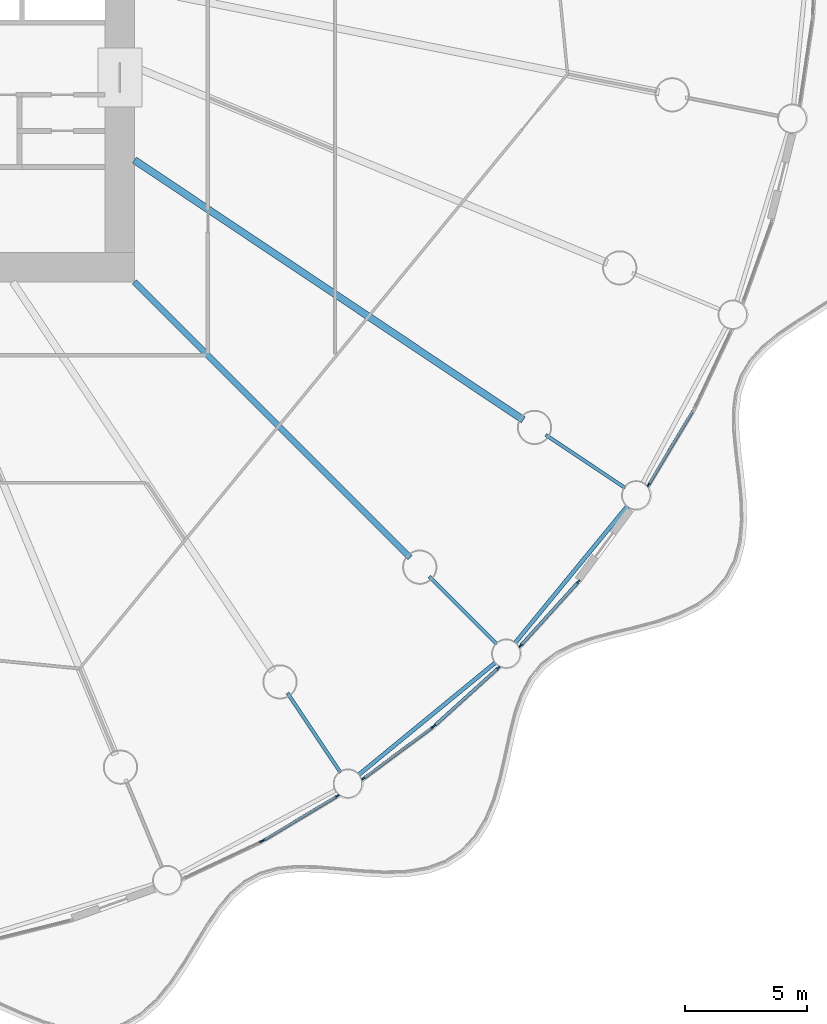
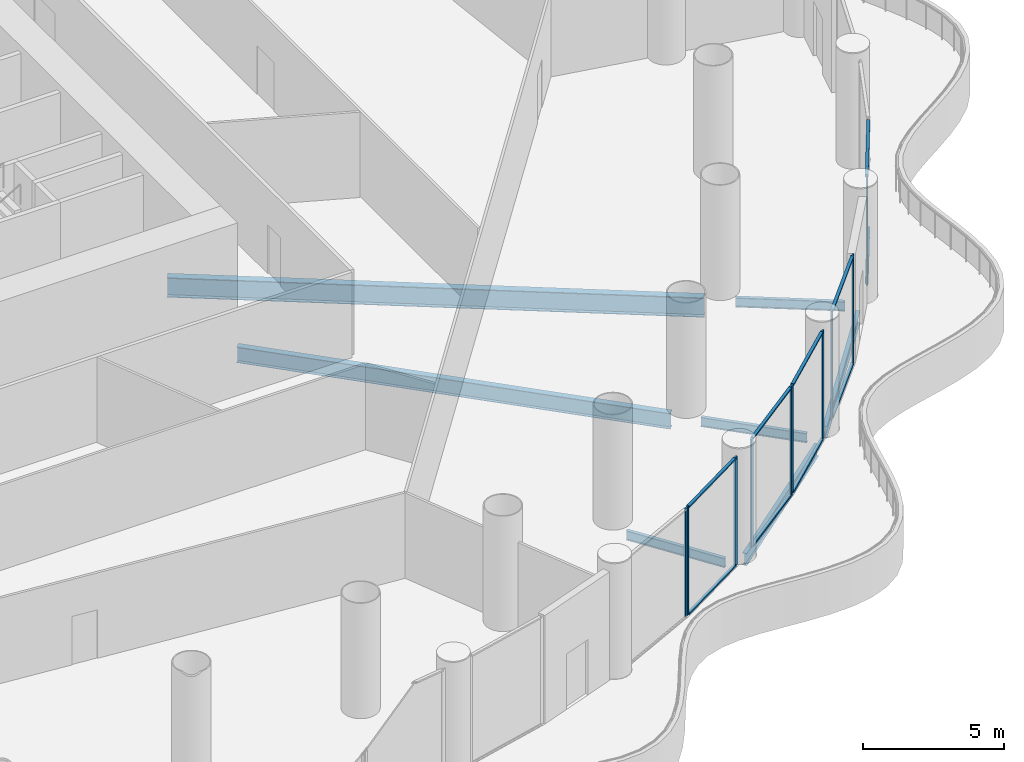
# One storey, part 10 of 38: 20 members, 7 beams, 6 elements without a shape of their own.
"""IFC4 building model written with IfcOpenShell, lengths in metres."""

from ifc_helpers import new_model, si_unit, direction, frame, origin, origin_2d, place, context, subcontext, project, spatial, rectangle, i_section, extrude, material, material_profile, profile_set, type_object, element, aggregate, save


model = new_model("IFC4")

# Units and contexts
model_context = context("Model", 3, precision=1e-05, world=origin(), true_north=direction((0.0, 1.0)))
body_context = subcontext(model_context, "Body", "Model", "MODEL_VIEW")
ifc_project = project(units=[si_unit("LENGTHUNIT", "METRE"), si_unit("AREAUNIT", "SQUARE_METRE"), si_unit("VOLUMEUNIT", "CUBIC_METRE"), si_unit("PLANEANGLEUNIT", "RADIAN"), si_unit("MASSUNIT", "GRAM", prefix="KILO")], contexts=[model_context])

# Site, building, storey
site_placement = place(None, origin())
site = spatial("IfcSite", under=ifc_project, at=site_placement, CompositionType="ELEMENT")
building_placement = place(site_placement, origin())
building = spatial("IfcBuilding", under=site, at=building_placement, Name="Corvane Civic Tower", CompositionType="ELEMENT")
storey_placement = place(building_placement, frame((0.0, 0.0, 32.0)))
storey = spatial("IfcBuildingStorey", under=building, at=storey_placement, Name="L06", CompositionType="ELEMENT", Elevation=32.0)

# Beams
ifc_material_1 = material(Name="Steel ASTM A992 Gr 50", Category="steel")
ifc_material_profile_1 = material_profile(ifc_material_1, i_section(OverallWidth=0.165771484375, OverallDepth=0.5283203125, WebThickness=0.009765625, FlangeThickness=0.013671875, at=origin_2d()), Name="W21X50")
ifc_profile_set_1 = profile_set([ifc_material_profile_1], Name="Steel ASTM A992 Gr 50")
beam_type_1 = type_object("IfcBeamType", Name="EDGE BEAM W21X50", PredefinedType="BEAM", material=ifc_profile_set_1)
for number, where, z_axis, x_axis, name in (
    (1, (35.15478515625, -24.14794921875, -0.564208984375), (-0.634396365205, -0.773007924807, 0.0), (0.773007924807, -0.634396365205, 0.0), "BM-L06-E12"),
    (2, (29.768310546875, -30.542236328125, -0.564208984375), (-0.773007924807, -0.634396365205, 0.0), (0.634396365205, -0.773007924807, 0.0), "BM-L06-E13"),
):
    element("IfcBeam", number, at=place(storey_placement, frame(where, z_axis=z_axis, x_axis=x_axis)), inside=storey, type_object=beam_type_1, Name=name, PredefinedType="BEAM", context=body_context, shape_type="SweptSolid", body=[
        extrude(i_section(OverallWidth=0.165771484375, OverallDepth=0.5283203125, WebThickness=0.009765625, FlangeThickness=0.013671875, at=origin_2d()), origin(), (0.0, 0.0, 1.0), 7.270751953125),
    ])
ifc_material_2 = material(Name="Steel ASTM A992 Gr 50", Category="steel")
ifc_material_profile_2 = material_profile(ifc_material_2, i_section(OverallWidth=0.140380859375, OverallDepth=0.40380859375, WebThickness=0.007080078125, FlangeThickness=0.01123046875, at=origin_2d()), Name="W16X31")
ifc_profile_set_2 = profile_set([ifc_material_profile_2], Name="Steel ASTM A992 Gr 50")
beam_type_2 = type_object("IfcBeamType", Name="FLOOR GIRDER W16X31", PredefinedType="BEAM", material=ifc_profile_set_2)
for number, where, z_axis, x_axis, name in (
    (3, (31.8037109375, -21.25048828125, -0.501953125), (0.831462344301, -0.555581110199, 0.0), (0.555581110199, 0.831462344301, 0.0), "BM-L06-G12b"),
    (4, (27.046875, -27.046875, -0.501953125), (0.707106781187, -0.707106781187, 0.0), (0.707106781187, 0.707106781187, 0.0), "BM-L06-G13b"),
    (5, (21.25048828125, -31.8037109375, -0.501953125), (0.555581110199, -0.831462344301, 0.0), (0.831462344301, 0.555581110199, 0.0), "BM-L06-G14b"),
):
    element("IfcBeam", number, at=place(storey_placement, frame(where, z_axis=z_axis, x_axis=x_axis)), inside=storey, type_object=beam_type_2, Name=name, PredefinedType="BEAM", context=body_context, shape_type="SweptSolid", body=[
        extrude(i_section(OverallWidth=0.140380859375, OverallDepth=0.40380859375, WebThickness=0.007080078125, FlangeThickness=0.01123046875, at=origin_2d()), origin(), (0.0, 0.0, 1.0), 3.89990234375),
    ])
ifc_material_3 = material(Name="Steel ASTM A992 Gr 50", Category="steel")
ifc_material_profile_3 = material_profile(ifc_material_3, i_section(OverallWidth=0.25390625, OverallDepth=0.67822265625, WebThickness=0.01171875, FlangeThickness=0.016357421875, at=origin_2d()), Name="W27X84")
ifc_profile_set_3 = profile_set([ifc_material_profile_3], Name="Steel ASTM A992 Gr 50")
beam_type_3 = type_object("IfcBeamType", Name="FLOOR GIRDER W27X84", PredefinedType="BEAM", material=ifc_profile_set_3)
beam_1_placement = place(storey_placement, frame((15.0, -15.0, -0.63916015625), z_axis=(0.707106781187, -0.707106781187, 0.0), x_axis=(0.707106781187, 0.707106781187, 0.0)))
element("IfcBeam", 6, at=beam_1_placement, inside=storey, type_object=beam_type_3, Name="BM-L06-G13", PredefinedType="BEAM", context=body_context, shape_type="SweptSolid", body=[
    extrude(i_section(OverallWidth=0.25390625, OverallDepth=0.67822265625, WebThickness=0.01171875, FlangeThickness=0.016357421875, at=origin_2d()), origin(), (0.0, 0.0, 1.0), 15.936767578125),
])
ifc_material_4 = material(Name="Steel ASTM A992 Gr 50", Category="steel")
ifc_material_profile_4 = material_profile(ifc_material_4, i_section(OverallWidth=0.2919921875, OverallDepth=0.845703125, WebThickness=0.015380859375, FlangeThickness=0.0244140625, at=origin_2d()), Name="W33X141")
ifc_profile_set_4 = profile_set([ifc_material_profile_4], Name="Steel ASTM A992 Gr 50")
beam_type_4 = type_object("IfcBeamType", Name="FLOOR GIRDER W33X141", PredefinedType="BEAM", material=ifc_profile_set_4)
beam_2_placement = place(storey_placement, frame((15.0, -10.022705078125, -0.722900390625), z_axis=(0.831471985418, -0.555566681385, 0.0), x_axis=(0.555566681385, 0.831471985418, 0.0)))
element("IfcBeam", 7, at=beam_2_placement, inside=storey, type_object=beam_type_4, Name="BM-L06-G12", PredefinedType="BEAM", context=body_context, shape_type="SweptSolid", body=[
    extrude(i_section(OverallWidth=0.2919921875, OverallDepth=0.845703125, WebThickness=0.015380859375, FlangeThickness=0.0244140625, at=origin_2d()), origin(), (0.0, 0.0, 1.0), 19.109619140625),
])

# Curtain wall, member
ifc_material_5 = material(Name="Aluminium and glass", Category="aluminium")
curtain_wall_type = type_object("IfcCurtainWallType", Name="PODIUM-CW-P-RUN", PredefinedType="NOTDEFINED", material=ifc_material_5)
curtain_wall_1_placement = place(storey_placement, origin())
curtain_wall_1 = element("IfcCurtainWall", 8, at=curtain_wall_1_placement, inside=storey, type_object=curtain_wall_type, Name="PODI run L06-drum-11B", PredefinedType="NOTDEFINED")
ifc_material_6 = material(Name="Anodised aluminium bronze", Category="aluminium")
ifc_material_profile_5 = material_profile(ifc_material_6, rectangle(XDim=0.06005859375, YDim=0.159912109375, at=origin_2d()), Name="AL 60x160")
ifc_profile_set_5 = profile_set([ifc_material_profile_5], Name="Anodised aluminium bronze")
member_type_1 = type_object("IfcMemberType", Name="PODIUM-CWP-MULLION-60x160", PredefinedType="MULLION", material=ifc_profile_set_5)
member_1_placement = place(storey_placement, frame((36.010009765625, -23.28564453125, 0.0), z_axis=(0.0, 0.0, 1.0), x_axis=(0.857719609779, -0.514117759857, 0.0)))
member_1 = element("IfcMember", 9, at=member_1_placement, type_object=member_type_1, Name="CW-P mullion 2", PredefinedType="MULLION", context=body_context, shape_type="SweptSolid", body=[
    extrude(rectangle(XDim=0.06005859375, YDim=0.159912109375, at=origin_2d()), origin(), (0.0, 0.0, 1.0), 4.699951171875),
])

# Curtain wall, members
curtain_wall_2_placement = place(storey_placement, origin())
curtain_wall_2 = element("IfcCurtainWall", 10, at=curtain_wall_2_placement, inside=storey, type_object=curtain_wall_type, Name="PODI run L06-drum-12B", PredefinedType="NOTDEFINED")
member_2_placement = place(storey_placement, frame((33.13916015625, -27.25537109375, 0.0), z_axis=(0.0, 0.0, 1.0), x_axis=(0.740935261089, -0.671576457952, 0.0)))
member_2 = element("IfcMember", 11, at=member_2_placement, type_object=member_type_1, Name="CW-P mullion 1", PredefinedType="MULLION", context=body_context, shape_type="SweptSolid", body=[
    extrude(rectangle(XDim=0.06005859375, YDim=0.159912109375, at=origin_2d()), origin(), (0.0, 0.0, 1.0), 4.699951171875),
])
member_3_placement = place(storey_placement, frame((30.775390625, -29.863525390625, 0.0), z_axis=(0.0, 0.0, 1.0), x_axis=(0.740935261089, -0.671576457952, 0.0)))
member_3 = element("IfcMember", 12, at=member_3_placement, type_object=member_type_1, Name="CW-P mullion 2", PredefinedType="MULLION", context=body_context, shape_type="SweptSolid", body=[
    extrude(rectangle(XDim=0.06005859375, YDim=0.159912109375, at=origin_2d()), origin(), (0.0, 0.0, 1.0), 4.699951171875),
])

curtain_wall_3_placement = place(storey_placement, origin())
curtain_wall_3 = element("IfcCurtainWall", 13, at=curtain_wall_3_placement, inside=storey, type_object=curtain_wall_type, Name="PODI run L06-drum-13A", PredefinedType="NOTDEFINED")
member_4_placement = place(storey_placement, frame((29.863525390625, -30.775390625, 0.0), z_axis=(0.0, 0.0, 1.0), x_axis=(0.671576457952, -0.740935261089, 0.0)))
member_4 = element("IfcMember", 14, at=member_4_placement, type_object=member_type_1, Name="CW-P mullion 1", PredefinedType="MULLION", context=body_context, shape_type="SweptSolid", body=[
    extrude(rectangle(XDim=0.06005859375, YDim=0.159912109375, at=origin_2d()), origin(), (0.0, 0.0, 1.0), 4.699951171875),
])
member_5_placement = place(storey_placement, frame((27.25537109375, -33.13916015625, 0.0), z_axis=(0.0, 0.0, 1.0), x_axis=(0.671576457952, -0.740935261089, 0.0)))
member_5 = element("IfcMember", 15, at=member_5_placement, type_object=member_type_1, Name="CW-P mullion 2", PredefinedType="MULLION", context=body_context, shape_type="SweptSolid", body=[
    extrude(rectangle(XDim=0.06005859375, YDim=0.159912109375, at=origin_2d()), origin(), (0.0, 0.0, 1.0), 4.699951171875),
])

curtain_wall_4_placement = place(storey_placement, origin())
curtain_wall_4 = element("IfcCurtainWall", 16, at=curtain_wall_4_placement, inside=storey, type_object=curtain_wall_type, Name="PODI run L06-drum-13B", PredefinedType="NOTDEFINED")
member_6_placement = place(storey_placement, frame((27.18505859375, -33.197021484375, 0.0), z_axis=(0.0, 0.0, 1.0), x_axis=(0.595705104665, -0.803203229747, 0.0)))
member_6 = element("IfcMember", 17, at=member_6_placement, type_object=member_type_1, Name="CW-P mullion 1", PredefinedType="MULLION", context=body_context, shape_type="SweptSolid", body=[
    extrude(rectangle(XDim=0.06005859375, YDim=0.159912109375, at=origin_2d()), origin(), (0.0, 0.0, 1.0), 4.699951171875),
])
member_7_placement = place(storey_placement, frame((24.35791015625, -35.293701171875, 0.0), z_axis=(0.0, 0.0, 1.0), x_axis=(0.595705104665, -0.803203229747, 0.0)))
member_7 = element("IfcMember", 18, at=member_7_placement, type_object=member_type_1, Name="CW-P mullion 2", PredefinedType="MULLION", context=body_context, shape_type="SweptSolid", body=[
    extrude(rectangle(XDim=0.06005859375, YDim=0.159912109375, at=origin_2d()), origin(), (0.0, 0.0, 1.0), 4.699951171875),
])

curtain_wall_5_placement = place(storey_placement, origin())
curtain_wall_5 = element("IfcCurtainWall", 19, at=curtain_wall_5_placement, inside=storey, type_object=curtain_wall_type, Name="PODI run L06-drum-14A", PredefinedType="NOTDEFINED")
member_8_placement = place(storey_placement, frame((23.28564453125, -36.010009765625, 0.0), z_axis=(0.0, 0.0, 1.0), x_axis=(0.514117759857, -0.857719609779, 0.0)))
member_8 = element("IfcMember", 20, at=member_8_placement, type_object=member_type_1, Name="CW-P mullion 1", PredefinedType="MULLION", context=body_context, shape_type="SweptSolid", body=[
    extrude(rectangle(XDim=0.06005859375, YDim=0.159912109375, at=origin_2d()), origin(), (0.0, 0.0, 1.0), 4.699951171875),
])
member_9_placement = place(storey_placement, frame((20.2666015625, -37.819580078125, 0.0), z_axis=(0.0, 0.0, 1.0), x_axis=(0.514117759857, -0.857719609779, 0.0)))
member_9 = element("IfcMember", 21, at=member_9_placement, type_object=member_type_1, Name="CW-P mullion 2", PredefinedType="MULLION", context=body_context, shape_type="SweptSolid", body=[
    extrude(rectangle(XDim=0.06005859375, YDim=0.159912109375, at=origin_2d()), origin(), (0.0, 0.0, 1.0), 4.699951171875),
])

# Curtain wall, member
curtain_wall_6_placement = place(storey_placement, origin())
curtain_wall_6 = element("IfcCurtainWall", 22, at=curtain_wall_6_placement, inside=storey, type_object=curtain_wall_type, Name="PODI run L06-drum-14B", PredefinedType="NOTDEFINED")
member_10_placement = place(storey_placement, frame((20.186279296875, -37.862548828125, 0.0), z_axis=(0.0, 0.0, 1.0), x_axis=(0.42755312852, -0.903990222454, 0.0)))
member_10 = element("IfcMember", 23, at=member_10_placement, type_object=member_type_1, Name="CW-P mullion 1", PredefinedType="MULLION", context=body_context, shape_type="SweptSolid", body=[
    extrude(rectangle(XDim=0.06005859375, YDim=0.159912109375, at=origin_2d()), origin(), (0.0, 0.0, 1.0), 4.699951171875),
])
aggregate(curtain_wall_6, [member_10])

# Member
ifc_material_7 = material(Name="Anodised aluminium bronze", Category="aluminium")
ifc_material_profile_6 = material_profile(ifc_material_7, rectangle(XDim=0.1201171875, YDim=0.06005859375, at=origin_2d()), Name="AL 120x60")
ifc_profile_set_6 = profile_set([ifc_material_profile_6], Name="Anodised aluminium bronze")
member_type_2 = type_object("IfcMemberType", Name="PODIUM-CWP-TRANSOM-60x120", PredefinedType="USERDEFINED", material=ifc_profile_set_6)
member_11_placement = place(storey_placement, frame((37.80419921875, -20.29248046875, 0.030029296875), z_axis=(-0.514111713099, -0.857723234181, 0.0), x_axis=(0.857723234181, -0.514111713099, 0.0)))
member_11 = element("IfcMember", 24, at=member_11_placement, type_object=member_type_2, Name="CW-P transom 1.1", ObjectType="TRANSOM", PredefinedType="USERDEFINED", context=body_context, shape_type="SweptSolid", body=[
    extrude(rectangle(XDim=0.1201171875, YDim=0.06005859375, at=origin_2d()), origin(), (0.0, 0.0, 1.0), 3.45947265625),
])

member_12_placement = place(storey_placement, frame((37.80419921875, -20.29248046875, 4.669921875), z_axis=(-0.514111713099, -0.857723234181, 0.0), x_axis=(0.857723234181, -0.514111713099, 0.0)))
member_12 = element("IfcMember", 25, at=member_12_placement, type_object=member_type_2, Name="CW-P transom 1.2", ObjectType="TRANSOM", PredefinedType="USERDEFINED", context=body_context, shape_type="SweptSolid", body=[
    extrude(rectangle(XDim=0.1201171875, YDim=0.06005859375, at=origin_2d()), origin(), (0.0, 0.0, 1.0), 3.45947265625),
])

aggregate(curtain_wall_1, [member_1, member_11, member_12])

member_13_placement = place(storey_placement, frame((33.119140625, -27.277587890625, 0.030029296875), z_axis=(-0.671576323599, -0.740935382865, 0.0), x_axis=(0.740935382865, -0.671576323599, 0.0)))
member_13 = element("IfcMember", 26, at=member_13_placement, type_object=member_type_2, Name="CW-P transom 1.1", ObjectType="TRANSOM", PredefinedType="USERDEFINED", context=body_context, shape_type="SweptSolid", body=[
    extrude(rectangle(XDim=0.1201171875, YDim=0.06005859375, at=origin_2d()), origin(), (0.0, 0.0, 1.0), 3.460205078125),
])

member_14_placement = place(storey_placement, frame((33.119140625, -27.277587890625, 4.669921875), z_axis=(-0.671576323599, -0.740935382865, 0.0), x_axis=(0.740935382865, -0.671576323599, 0.0)))
member_14 = element("IfcMember", 27, at=member_14_placement, type_object=member_type_2, Name="CW-P transom 1.2", ObjectType="TRANSOM", PredefinedType="USERDEFINED", context=body_context, shape_type="SweptSolid", body=[
    extrude(rectangle(XDim=0.1201171875, YDim=0.06005859375, at=origin_2d()), origin(), (0.0, 0.0, 1.0), 3.460205078125),
])

aggregate(curtain_wall_2, [member_2, member_3, member_13, member_14])

member_15_placement = place(storey_placement, frame((29.84130859375, -30.79541015625, 0.030029296875), z_axis=(-0.740935382865, -0.671576323599, 0.0), x_axis=(0.671576323599, -0.740935382865, 0.0)))
member_15 = element("IfcMember", 28, at=member_15_placement, type_object=member_type_2, Name="CW-P transom 1.1", ObjectType="TRANSOM", PredefinedType="USERDEFINED", context=body_context, shape_type="SweptSolid", body=[
    extrude(rectangle(XDim=0.1201171875, YDim=0.06005859375, at=origin_2d()), origin(), (0.0, 0.0, 1.0), 3.460205078125),
])

member_16_placement = place(storey_placement, frame((29.84130859375, -30.79541015625, 4.669921875), z_axis=(-0.740935382865, -0.671576323599, 0.0), x_axis=(0.671576323599, -0.740935382865, 0.0)))
member_16 = element("IfcMember", 29, at=member_16_placement, type_object=member_type_2, Name="CW-P transom 1.2", ObjectType="TRANSOM", PredefinedType="USERDEFINED", context=body_context, shape_type="SweptSolid", body=[
    extrude(rectangle(XDim=0.1201171875, YDim=0.06005859375, at=origin_2d()), origin(), (0.0, 0.0, 1.0), 3.460205078125),
])

aggregate(curtain_wall_3, [member_4, member_5, member_15, member_16])

member_17_placement = place(storey_placement, frame((27.160888671875, -33.21484375, 0.030029296875), z_axis=(-0.803189518598, -0.595723591285, 0.0), x_axis=(0.595723591285, -0.803189518598, 0.0)))
member_17 = element("IfcMember", 30, at=member_17_placement, type_object=member_type_2, Name="CW-P transom 1.1", ObjectType="TRANSOM", PredefinedType="USERDEFINED", context=body_context, shape_type="SweptSolid", body=[
    extrude(rectangle(XDim=0.1201171875, YDim=0.06005859375, at=origin_2d()), origin(), (0.0, 0.0, 1.0), 3.459716796875),
])

member_18_placement = place(storey_placement, frame((27.160888671875, -33.21484375, 4.669921875), z_axis=(-0.803189518598, -0.595723591285, 0.0), x_axis=(0.595723591285, -0.803189518598, 0.0)))
member_18 = element("IfcMember", 31, at=member_18_placement, type_object=member_type_2, Name="CW-P transom 1.2", ObjectType="TRANSOM", PredefinedType="USERDEFINED", context=body_context, shape_type="SweptSolid", body=[
    extrude(rectangle(XDim=0.1201171875, YDim=0.06005859375, at=origin_2d()), origin(), (0.0, 0.0, 1.0), 3.459716796875),
])

aggregate(curtain_wall_4, [member_6, member_7, member_17, member_18])

member_19_placement = place(storey_placement, frame((23.259765625, -36.025634765625, 0.030029296875), z_axis=(-0.857723234181, -0.514111713099, 0.0), x_axis=(0.514111713099, -0.857723234181, 0.0)))
member_19 = element("IfcMember", 32, at=member_19_placement, type_object=member_type_2, Name="CW-P transom 1.1", ObjectType="TRANSOM", PredefinedType="USERDEFINED", context=body_context, shape_type="SweptSolid", body=[
    extrude(rectangle(XDim=0.1201171875, YDim=0.06005859375, at=origin_2d()), origin(), (0.0, 0.0, 1.0), 3.45947265625),
])

member_20_placement = place(storey_placement, frame((23.259765625, -36.025634765625, 4.669921875), z_axis=(-0.857723234181, -0.514111713099, 0.0), x_axis=(0.514111713099, -0.857723234181, 0.0)))
member_20 = element("IfcMember", 33, at=member_20_placement, type_object=member_type_2, Name="CW-P transom 1.2", ObjectType="TRANSOM", PredefinedType="USERDEFINED", context=body_context, shape_type="SweptSolid", body=[
    extrude(rectangle(XDim=0.1201171875, YDim=0.06005859375, at=origin_2d()), origin(), (0.0, 0.0, 1.0), 3.45947265625),
])

aggregate(curtain_wall_5, [member_8, member_9, member_19, member_20])

save(model, "model.ifc")
